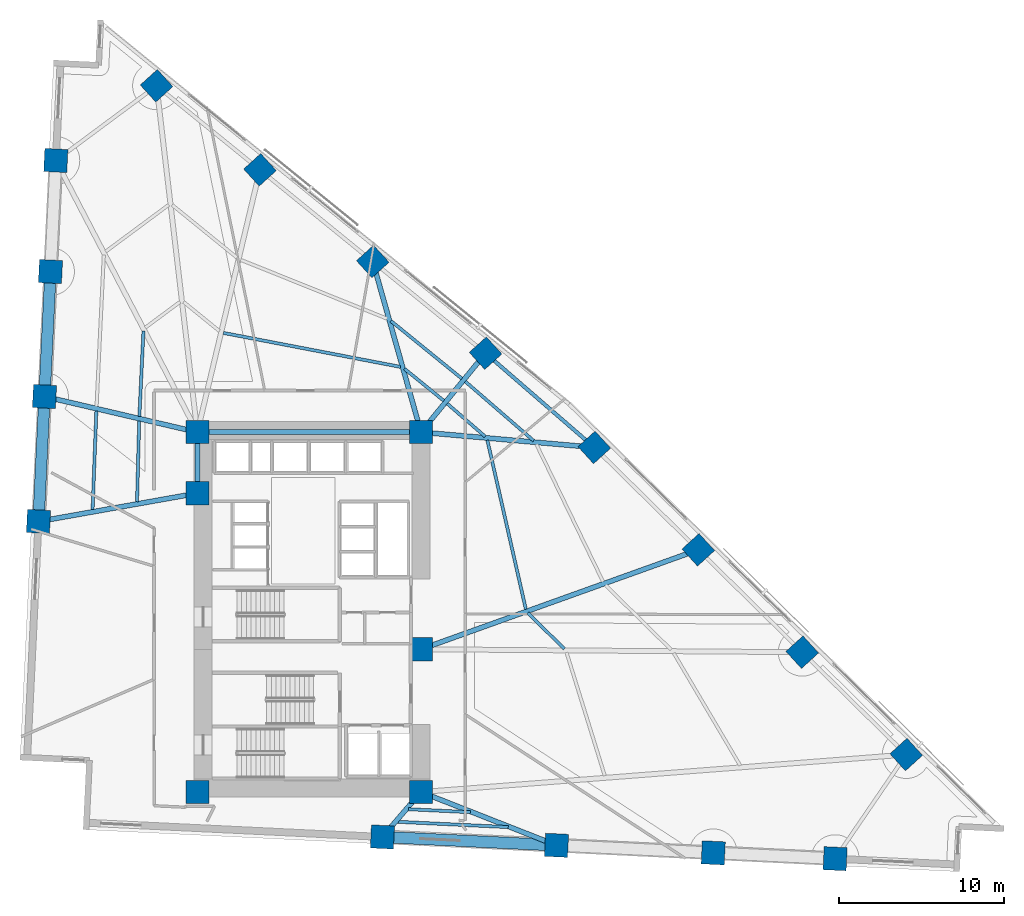
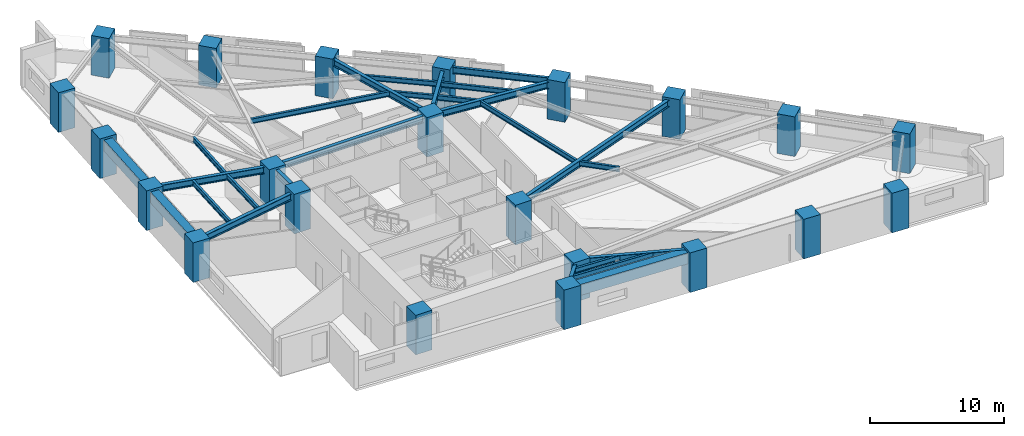
# One storey, part 1 of 17: 26 beams, 22 columns.
"""IFC4 building model written with IfcOpenShell, lengths in metres."""

from ifc_helpers import new_model, si_unit, direction, frame, origin, origin_2d, place, context, subcontext, project, spatial, rectangle, i_section, extrude, material, material_profile, profile_set, type_object, element, save


model = new_model("IFC4")

# Units and contexts
model_context = context("Model", 3, precision=1e-05, world=origin(), true_north=direction((0.0, 1.0)))
body_context = subcontext(model_context, "Body", "Model", "MODEL_VIEW")
ifc_project = project(units=[si_unit("LENGTHUNIT", "METRE"), si_unit("AREAUNIT", "SQUARE_METRE"), si_unit("VOLUMEUNIT", "CUBIC_METRE"), si_unit("PLANEANGLEUNIT", "RADIAN"), si_unit("MASSUNIT", "GRAM", prefix="KILO")], contexts=[model_context])

# Site, building, storey
site_placement = place(None, origin())
site = spatial("IfcSite", under=ifc_project, at=site_placement, CompositionType="ELEMENT")
building_placement = place(site_placement, origin())
building = spatial("IfcBuilding", under=site, at=building_placement, Name="Narakoshi Arena Tower", CompositionType="ELEMENT")
storey_placement = place(building_placement, frame((0.0, 0.0, 41.10009765625)))
storey = spatial("IfcBuildingStorey", under=building, at=storey_placement, Name="L10", CompositionType="ELEMENT", Elevation=41.10009765625)

# Columns
ifc_material_1 = material(Name="Concrete C60/75", Category="concrete")
ifc_material_profile_1 = material_profile(ifc_material_1, rectangle(XDim=1.39990234375, YDim=1.39990234375, at=origin_2d()), Name="RC1400x1400")
ifc_profile_set_1 = profile_set([ifc_material_profile_1], Name="Concrete C60/75")
column_type = type_object("IfcColumnType", Name="COL-RC1400", PredefinedType="COLUMN", material=ifc_profile_set_1)
for number, where, z_axis, x_axis, name in (
    (1, (72.0, 34.699951171875, 0.0), (0.0, 0.0, 1.0), (1.0, 0.0, 0.0), "L10 Core Structural Column CC1"),
    (2, (85.550048828125, 34.699951171875, 0.0), (0.0, 0.0, 1.0), (1.0, 0.0, 0.0), "L10 Core Structural Column CC2"),
    (3, (85.550048828125, 43.35009765625, 0.0), (0.0, 0.0, 1.0), (1.0, 0.0, 0.0), "L10 Core Structural Column CC3"),
    (4, (72.0, 52.800048828125, 0.0), (0.0, 0.0, 1.0), (1.0, 0.0, 0.0), "L10 Core Structural Column CC4"),
    (5, (72.0, 56.5, 0.0), (0.0, 0.0, 1.0), (1.0, 0.0, 0.0), "L10 Core Structural Column CC5"),
    (6, (85.550048828125, 56.5, 0.0), (0.0, 0.0, 1.0), (1.0, 0.0, 0.0), "L10 Core Structural Column CC6"),
    (7, (83.2119140625, 31.979248046875, 0.0), (0.0, 0.0, 1.0), (-0.998848386485, 0.047978128521, 0.0), "L10 Tower Perimeter Column TC01"),
    (8, (93.760009765625, 31.472412109375, 0.0), (0.0, 0.0, 1.0), (-0.998848386485, 0.047978128521, 0.0), "L10 Tower Perimeter Column TC02"),
    (9, (103.2529296875, 31.0166015625, 0.0), (0.0, 0.0, 1.0), (-0.998848386485, 0.047978128521, 0.0), "L10 Tower Perimeter Column TC03"),
    (10, (110.636474609375, 30.661865234375, 0.0), (0.0, 0.0, 1.0), (-0.998848386485, 0.047978128521, 0.0), "L10 Tower Perimeter Column TC04"),
    (11, (114.942138671875, 36.969970703125, 0.0), (0.0, 0.0, 1.0), (0.740218127487, 0.672366807435, 0.0), "L10 Tower Perimeter Column TC05"),
    (12, (108.643798828125, 43.171875, 0.0), (0.0, 0.0, 1.0), (0.740218127487, 0.672366807435, 0.0), "L10 Tower Perimeter Column TC06"),
    (13, (102.345458984375, 49.373779296875, 0.0), (0.0, 0.0, 1.0), (0.740218127487, 0.672366807435, 0.0), "L10 Tower Perimeter Column TC07"),
    (14, (96.047119140625, 55.57568359375, 0.0), (0.0, 0.0, 1.0), (0.740218127487, 0.672366807435, 0.0), "L10 Tower Perimeter Column TC08"),
    (15, (89.459716796875, 61.28515625, 0.0), (0.0, 0.0, 1.0), (0.740218127487, 0.672366807435, 0.0), "L10 Tower Perimeter Column TC09"),
    (16, (82.626953125, 66.838623046875, 0.0), (0.0, 0.0, 1.0), (0.740218127487, 0.672366807435, 0.0), "L10 Tower Perimeter Column TC10"),
    (17, (75.794189453125, 72.392333984375, 0.0), (0.0, 0.0, 1.0), (0.740218127487, 0.672366807435, 0.0), "L10 Tower Perimeter Column TC11"),
    (18, (69.531005859375, 77.483154296875, 0.0), (0.0, 0.0, 1.0), (0.740218127487, 0.672366807435, 0.0), "L10 Tower Perimeter Column TC12"),
    (19, (63.42822265625, 72.95654296875, 0.0), (0.0, 0.0, 1.0), (0.047978128521, 0.998848386485, 0.0), "L10 Tower Perimeter Column TC13"),
    (20, (63.10498046875, 66.228271484375, 0.0), (0.0, 0.0, 1.0), (0.047978128521, 0.998848386485, 0.0), "L10 Tower Perimeter Column TC14"),
    (21, (62.74169921875, 58.658935546875, 0.0), (0.0, 0.0, 1.0), (0.047978128521, 0.998848386485, 0.0), "L10 Tower Perimeter Column TC15"),
    (22, (62.3779296875, 51.08984375, 0.0), (0.0, 0.0, 1.0), (0.047978128521, 0.998848386485, 0.0), "L10 Tower Perimeter Column TC16"),
):
    element("IfcColumn", number, at=place(storey_placement, frame(where, z_axis=z_axis, x_axis=x_axis)), inside=storey, type_object=column_type, Name=name, PredefinedType="COLUMN", context=body_context, shape_type="SweptSolid", body=[
        extrude(rectangle(XDim=1.39990234375, YDim=1.39990234375, at=origin_2d()), origin(), (0.0, 0.0, 1.0), 3.599853515625),
    ])

# Beams
ifc_material_profile_2 = material_profile(ifc_material_1, rectangle(XDim=0.699951171875, YDim=1.0, at=origin_2d()), Name="RCB700x1000")
ifc_profile_set_2 = profile_set([ifc_material_profile_2], Name="Concrete C60/75")
beam_type_1 = type_object("IfcBeamType", Name="BM-CPL-1000", PredefinedType="BEAM", material=ifc_profile_set_2)
beam_1_placement = place(storey_placement, frame((83.2119140625, 31.979248046875, 2.89990234375), z_axis=(0.998847594152, -0.047994621119, 0.0), x_axis=(0.047994621119, 0.998847594152, 0.0)))
element("IfcBeam", 23, at=beam_1_placement, inside=storey, type_object=beam_type_1, Name="L10 Perimeter Edge Girder 01", PredefinedType="BEAM", context=body_context, shape_type="SweptSolid", body=[
    extrude(rectangle(XDim=0.699951171875, YDim=1.0, at=origin_2d()), origin(), (0.0, 0.0, 1.0), 10.560302734375),
])
beam_2_placement = place(storey_placement, frame((63.10498046875, 66.228271484375, 2.89990234375), z_axis=(-0.047938627957, -0.99885028305, 0.0), x_axis=(0.99885028305, -0.047938627957, 0.0)))
element("IfcBeam", 24, at=beam_2_placement, inside=storey, type_object=beam_type_1, Name="L10 Perimeter Edge Girder 14", PredefinedType="BEAM", context=body_context, shape_type="SweptSolid", body=[
    extrude(rectangle(XDim=0.699951171875, YDim=1.0, at=origin_2d()), origin(), (0.0, 0.0, 1.0), 7.578125),
])
beam_3_placement = place(storey_placement, frame((62.74169921875, 58.658935546875, 2.89990234375), z_axis=(-0.048004457986, -0.998847121442, 0.0), x_axis=(0.998847121442, -0.048004457986, 0.0)))
element("IfcBeam", 25, at=beam_3_placement, inside=storey, type_object=beam_type_1, Name="L10 Perimeter Edge Girder 15", PredefinedType="BEAM", context=body_context, shape_type="SweptSolid", body=[
    extrude(rectangle(XDim=0.699951171875, YDim=1.0, at=origin_2d()), origin(), (0.0, 0.0, 1.0), 7.577880859375),
])
ifc_material_2 = material(Name="Structural steel S355J2", Category="steel")
ifc_material_profile_3 = material_profile(ifc_material_2, i_section(OverallWidth=0.219970703125, OverallDepth=0.60009765625, WebThickness=0.011962890625, FlangeThickness=0.01904296875, FilletRadius=0.02392578125, at=origin_2d()), Name="IPE600")
ifc_profile_set_3 = profile_set([ifc_material_profile_3], Name="Structural steel S355J2")
beam_type_2 = type_object("IfcBeamType", Name="BM-EDGE-600", PredefinedType="BEAM", material=ifc_profile_set_3)
beam_4_placement = place(storey_placement, frame((96.047119140625, 55.57568359375, 3.099853515625), z_axis=(-0.755666904752, 0.654956127586, 0.0), x_axis=(-0.654956127586, -0.755666904752, 0.0)))
element("IfcBeam", 26, at=beam_4_placement, inside=storey, type_object=beam_type_2, Name="L10 Perimeter Edge Girder 08", PredefinedType="BEAM", context=body_context, shape_type="SweptSolid", body=[
    extrude(i_section(OverallWidth=0.219970703125, OverallDepth=0.60009765625, WebThickness=0.011962890625, FlangeThickness=0.01904296875, FilletRadius=0.02392578125, at=origin_2d()), origin(), (0.0, 0.0, 1.0), 8.71728515625),
])
ifc_material_profile_4 = material_profile(ifc_material_2, i_section(OverallWidth=0.300048828125, OverallDepth=0.60009765625, WebThickness=0.015380859375, FlangeThickness=0.030029296875, FilletRadius=0.027099609375, at=origin_2d()), Name="HE600B")
ifc_profile_set_4 = profile_set([ifc_material_profile_4], Name="Structural steel S355J2")
beam_type_3 = type_object("IfcBeamType", Name="BM-PRI-600", PredefinedType="BEAM", material=ifc_profile_set_4)
beam_5_placement = place(storey_placement, frame((85.550048828125, 34.699951171875, 3.099853515625), z_axis=(-0.651771636497, -0.75841527797, 0.0), x_axis=(0.75841527797, -0.651771636497, 0.0)))
element("IfcBeam", 27, at=beam_5_placement, inside=storey, type_object=beam_type_3, Name="L10 Radial Primary Floor Girder 01", PredefinedType="BEAM", context=body_context, shape_type="SweptSolid", body=[
    extrude(i_section(OverallWidth=0.300048828125, OverallDepth=0.60009765625, WebThickness=0.015380859375, FlangeThickness=0.030029296875, FilletRadius=0.027099609375, at=origin_2d()), origin(), (0.0, 0.0, 1.0), 3.58740234375),
])
beam_6_placement = place(storey_placement, frame((85.550048828125, 34.699951171875, 3.099853515625), z_axis=(0.930666699288, -0.365868138592, 0.0), x_axis=(0.365868138592, 0.930666699288, 0.0)))
element("IfcBeam", 28, at=beam_6_placement, inside=storey, type_object=beam_type_3, Name="L10 Radial Primary Floor Girder 02", PredefinedType="BEAM", context=body_context, shape_type="SweptSolid", body=[
    extrude(i_section(OverallWidth=0.300048828125, OverallDepth=0.60009765625, WebThickness=0.015380859375, FlangeThickness=0.030029296875, FilletRadius=0.027099609375, at=origin_2d()), origin(), (0.0, 0.0, 1.0), 8.821533203125),
])
beam_7_placement = place(storey_placement, frame((85.550048828125, 43.35009765625, 3.099853515625), z_axis=(0.941291582753, 0.337594662634, 0.0), x_axis=(-0.337594662634, 0.941291582753, 0.0)))
element("IfcBeam", 29, at=beam_7_placement, inside=storey, type_object=beam_type_3, Name="L10 Radial Primary Floor Girder 07", PredefinedType="BEAM", context=body_context, shape_type="SweptSolid", body=[
    extrude(i_section(OverallWidth=0.300048828125, OverallDepth=0.60009765625, WebThickness=0.015380859375, FlangeThickness=0.030029296875, FilletRadius=0.027099609375, at=origin_2d()), origin(), (0.0, 0.0, 1.0), 17.843017578125),
])
beam_8_placement = place(storey_placement, frame((85.550048828125, 56.5, 3.099853515625), z_axis=(0.996145584519, -0.087715303354, 0.0), x_axis=(0.087715303354, 0.996145584519, 0.0)))
element("IfcBeam", 30, at=beam_8_placement, inside=storey, type_object=beam_type_3, Name="L10 Radial Primary Floor Girder 08", PredefinedType="BEAM", context=body_context, shape_type="SweptSolid", body=[
    extrude(i_section(OverallWidth=0.300048828125, OverallDepth=0.60009765625, WebThickness=0.015380859375, FlangeThickness=0.030029296875, FilletRadius=0.027099609375, at=origin_2d()), origin(), (0.0, 0.0, 1.0), 10.53759765625),
])
beam_9_placement = place(storey_placement, frame((85.550048828125, 56.5, 3.099853515625), z_axis=(0.632708368655, 0.774390160212, 0.0), x_axis=(-0.774390160212, 0.632708368655, 0.0)))
element("IfcBeam", 31, at=beam_9_placement, inside=storey, type_object=beam_type_3, Name="L10 Radial Primary Floor Girder 09", PredefinedType="BEAM", context=body_context, shape_type="SweptSolid", body=[
    extrude(i_section(OverallWidth=0.300048828125, OverallDepth=0.60009765625, WebThickness=0.015380859375, FlangeThickness=0.030029296875, FilletRadius=0.027099609375, at=origin_2d()), origin(), (0.0, 0.0, 1.0), 6.17919921875),
])
beam_10_placement = place(storey_placement, frame((85.550048828125, 56.5, 3.099853515625), z_axis=(-0.272069994974, 0.962277464058, 0.0), x_axis=(-0.962277464058, -0.272069994974, 0.0)))
element("IfcBeam", 32, at=beam_10_placement, inside=storey, type_object=beam_type_3, Name="L10 Radial Primary Floor Girder 10", PredefinedType="BEAM", context=body_context, shape_type="SweptSolid", body=[
    extrude(i_section(OverallWidth=0.300048828125, OverallDepth=0.60009765625, WebThickness=0.015380859375, FlangeThickness=0.030029296875, FilletRadius=0.027099609375, at=origin_2d()), origin(), (0.0, 0.0, 1.0), 10.743896484375),
])
beam_11_placement = place(storey_placement, frame((72.0, 56.5, 3.099853515625), z_axis=(-0.973872266719, 0.227096473145, 0.0), x_axis=(-0.227096473145, -0.973872266719, 0.0)))
element("IfcBeam", 33, at=beam_11_placement, inside=storey, type_object=beam_type_3, Name="L10 Radial Primary Floor Girder 15", PredefinedType="BEAM", context=body_context, shape_type="SweptSolid", body=[
    extrude(i_section(OverallWidth=0.300048828125, OverallDepth=0.60009765625, WebThickness=0.015380859375, FlangeThickness=0.030029296875, FilletRadius=0.027099609375, at=origin_2d()), origin(), (0.0, 0.0, 1.0), 9.506591796875),
])
beam_12_placement = place(storey_placement, frame((72.0, 52.800048828125, 3.099853515625), z_axis=(-0.984569299514, -0.174995126944, 0.0), x_axis=(0.174995126944, -0.984569299514, 0.0)))
element("IfcBeam", 34, at=beam_12_placement, inside=storey, type_object=beam_type_3, Name="L10 Radial Primary Floor Girder 16", PredefinedType="BEAM", context=body_context, shape_type="SweptSolid", body=[
    extrude(i_section(OverallWidth=0.300048828125, OverallDepth=0.60009765625, WebThickness=0.015380859375, FlangeThickness=0.030029296875, FilletRadius=0.027099609375, at=origin_2d()), origin(), (0.0, 0.0, 1.0), 9.77294921875),
])
beam_13_placement = place(storey_placement, frame((72.0, 52.800048828125, 3.099853515625), z_axis=(0.0, 1.0, 0.0), x_axis=(-1.0, 0.0, 0.0)))
element("IfcBeam", 35, at=beam_13_placement, inside=storey, type_object=beam_type_3, Name="L10 Core Perimeter Frame Beam CC4-CC5", PredefinedType="BEAM", context=body_context, shape_type="SweptSolid", body=[
    extrude(i_section(OverallWidth=0.300048828125, OverallDepth=0.60009765625, WebThickness=0.015380859375, FlangeThickness=0.030029296875, FilletRadius=0.027099609375, at=origin_2d()), origin(), (0.0, 0.0, 1.0), 3.699951171875),
])
beam_14_placement = place(storey_placement, frame((72.0, 56.5, 3.099853515625), z_axis=(1.0, 0.0, 0.0), x_axis=(0.0, 1.0, 0.0)))
element("IfcBeam", 36, at=beam_14_placement, inside=storey, type_object=beam_type_3, Name="L10 Core Perimeter Frame Beam CC5-CC6", PredefinedType="BEAM", context=body_context, shape_type="SweptSolid", body=[
    extrude(i_section(OverallWidth=0.300048828125, OverallDepth=0.60009765625, WebThickness=0.015380859375, FlangeThickness=0.030029296875, FilletRadius=0.027099609375, at=origin_2d()), origin(), (0.0, 0.0, 1.0), 13.550048828125),
])
ifc_material_profile_5 = material_profile(ifc_material_2, i_section(OverallWidth=0.18994140625, OverallDepth=0.449951171875, WebThickness=0.009521484375, FlangeThickness=0.0146484375, FilletRadius=0.02099609375, at=origin_2d()), Name="IPE450")
ifc_profile_set_5 = profile_set([ifc_material_profile_5], Name="Structural steel S355J2")
beam_type_4 = type_object("IfcBeamType", Name="BM-SEC-450", PredefinedType="JOIST", material=ifc_profile_set_5)
beam_15_placement = place(storey_placement, frame((84.79638671875, 33.65966796875, 3.1748046875), z_axis=(0.998846936013, -0.04800831613, 0.0), x_axis=(0.04800831613, 0.998846936013, 0.0)))
element("IfcBeam", 37, at=beam_15_placement, inside=storey, type_object=beam_type_4, Name="L10 Composite Secondary Floor Joist 01", PredefinedType="JOIST", context=body_context, shape_type="SweptSolid", body=[
    extrude(i_section(OverallWidth=0.18994140625, OverallDepth=0.449951171875, WebThickness=0.009521484375, FlangeThickness=0.0146484375, FilletRadius=0.02099609375, at=origin_2d()), origin(), (0.0, 0.0, 1.0), 3.742919921875),
])
beam_16_placement = place(storey_placement, frame((84.141845703125, 32.897705078125, 3.1748046875), z_axis=(0.998849428326, -0.047956433699, 0.0), x_axis=(0.047956433699, 0.998849428326, 0.0)))
element("IfcBeam", 38, at=beam_16_placement, inside=storey, type_object=beam_type_4, Name="L10 Composite Secondary Floor Joist 02", PredefinedType="JOIST", context=body_context, shape_type="SweptSolid", body=[
    extrude(i_section(OverallWidth=0.18994140625, OverallDepth=0.449951171875, WebThickness=0.009521484375, FlangeThickness=0.0146484375, FilletRadius=0.02099609375, at=origin_2d()), origin(), (0.0, 0.0, 1.0), 6.69970703125),
])
beam_17_placement = place(storey_placement, frame((94.2294921875, 43.376953125, 3.1748046875), z_axis=(-0.712578369214, 0.701592522572, 0.0), x_axis=(-0.701592522572, -0.712578369214, 0.0)))
element("IfcBeam", 39, at=beam_17_placement, inside=storey, type_object=beam_type_4, Name="L10 Composite Secondary Floor Joist 05", PredefinedType="JOIST", context=body_context, shape_type="SweptSolid", body=[
    extrude(i_section(OverallWidth=0.18994140625, OverallDepth=0.449951171875, WebThickness=0.009521484375, FlangeThickness=0.0146484375, FilletRadius=0.02099609375, at=origin_2d()), origin(), (0.0, 0.0, 1.0), 3.089111328125),
])
beam_18_placement = place(storey_placement, frame((91.90234375, 45.770751953125, 3.1748046875), z_axis=(-0.222053868042, 0.975034399233, 0.0), x_axis=(-0.975034399233, -0.222053868042, 0.0)))
element("IfcBeam", 40, at=beam_18_placement, inside=storey, type_object=beam_type_4, Name="L10 Composite Secondary Floor Joist 07", PredefinedType="JOIST", context=body_context, shape_type="SweptSolid", body=[
    extrude(i_section(OverallWidth=0.18994140625, OverallDepth=0.449951171875, WebThickness=0.009521484375, FlangeThickness=0.0146484375, FilletRadius=0.02099609375, at=origin_2d()), origin(), (0.0, 0.0, 1.0), 10.5087890625),
])
beam_19_placement = place(storey_placement, frame((89.436767578125, 56.2373046875, 3.1748046875), z_axis=(-0.755665253251, 0.654958033029, 0.0), x_axis=(-0.654958033029, -0.755665253251, 0.0)))
element("IfcBeam", 41, at=beam_19_placement, inside=storey, type_object=beam_type_4, Name="L10 Composite Secondary Floor Joist 09", PredefinedType="JOIST", context=body_context, shape_type="SweptSolid", body=[
    extrude(i_section(OverallWidth=0.18994140625, OverallDepth=0.449951171875, WebThickness=0.009521484375, FlangeThickness=0.0146484375, FilletRadius=0.02099609375, at=origin_2d()), origin(), (0.0, 0.0, 1.0), 3.04248046875),
])
beam_20_placement = place(storey_placement, frame((92.3759765625, 55.978515625, 3.1748046875), z_axis=(-0.755690551911, 0.654928843274, 0.0), x_axis=(-0.654928843274, -0.755690551911, 0.0)))
element("IfcBeam", 42, at=beam_20_placement, inside=storey, type_object=beam_type_4, Name="L10 Composite Secondary Floor Joist 10", PredefinedType="JOIST", context=body_context, shape_type="SweptSolid", body=[
    extrude(i_section(OverallWidth=0.18994140625, OverallDepth=0.449951171875, WebThickness=0.009521484375, FlangeThickness=0.0146484375, FilletRadius=0.02099609375, at=origin_2d()), origin(), (0.0, 0.0, 1.0), 5.483154296875),
])
beam_21_placement = place(storey_placement, frame((86.930908203125, 58.403564453125, 3.1748046875), z_axis=(-0.776029017358, 0.630697204861, 0.0), x_axis=(-0.630697204861, -0.776029017358, 0.0)))
element("IfcBeam", 43, at=beam_21_placement, inside=storey, type_object=beam_type_4, Name="L10 Composite Secondary Floor Joist 11", PredefinedType="JOIST", context=body_context, shape_type="SweptSolid", body=[
    extrude(i_section(OverallWidth=0.18994140625, OverallDepth=0.449951171875, WebThickness=0.009521484375, FlangeThickness=0.0146484375, FilletRadius=0.02099609375, at=origin_2d()), origin(), (0.0, 0.0, 1.0), 3.075927734375),
])
beam_22_placement = place(storey_placement, frame((88.025634765625, 59.743408203125, 3.1748046875), z_axis=(-0.77601830452, 0.630710386033, 0.0), x_axis=(-0.630710386033, -0.77601830452, 0.0)))
element("IfcBeam", 44, at=beam_22_placement, inside=storey, type_object=beam_type_4, Name="L10 Composite Secondary Floor Joist 12", PredefinedType="JOIST", context=body_context, shape_type="SweptSolid", body=[
    extrude(i_section(OverallWidth=0.18994140625, OverallDepth=0.449951171875, WebThickness=0.009521484375, FlangeThickness=0.0146484375, FilletRadius=0.02099609375, at=origin_2d()), origin(), (0.0, 0.0, 1.0), 5.541259765625),
])
beam_23_placement = place(storey_placement, frame((84.306640625, 60.4541015625, 3.1748046875), z_axis=(-0.98207951477, 0.188467043986, 0.0), x_axis=(-0.188467043986, -0.98207951477, 0.0)))
element("IfcBeam", 45, at=beam_23_placement, inside=storey, type_object=beam_type_4, Name="L10 Composite Secondary Floor Joist 13", PredefinedType="JOIST", context=body_context, shape_type="SweptSolid", body=[
    extrude(i_section(OverallWidth=0.18994140625, OverallDepth=0.449951171875, WebThickness=0.009521484375, FlangeThickness=0.0146484375, FilletRadius=0.02099609375, at=origin_2d()), origin(), (0.0, 0.0, 1.0), 10.927978515625),
])
beam_24_placement = place(storey_placement, frame((68.736328125, 62.61865234375, 3.1748046875), z_axis=(-0.047984757536, -0.998848068048, 0.0), x_axis=(0.998848068048, -0.047984757536, 0.0)))
element("IfcBeam", 46, at=beam_24_placement, inside=storey, type_object=beam_type_4, Name="L10 Composite Secondary Floor Joist 19", PredefinedType="JOIST", context=body_context, shape_type="SweptSolid", body=[
    extrude(i_section(OverallWidth=0.18994140625, OverallDepth=0.449951171875, WebThickness=0.009521484375, FlangeThickness=0.0146484375, FilletRadius=0.02099609375, at=origin_2d()), origin(), (0.0, 0.0, 1.0), 5.169189453125),
])
beam_25_placement = place(storey_placement, frame((68.478271484375, 57.185546875, 3.1748046875), z_axis=(-0.026744117258, -0.999642312126, 0.0), x_axis=(0.999642312126, -0.026744117258, 0.0)))
element("IfcBeam", 47, at=beam_25_placement, inside=storey, type_object=beam_type_4, Name="L10 Composite Secondary Floor Joist 21", PredefinedType="JOIST", context=body_context, shape_type="SweptSolid", body=[
    extrude(i_section(OverallWidth=0.18994140625, OverallDepth=0.449951171875, WebThickness=0.009521484375, FlangeThickness=0.0146484375, FilletRadius=0.02099609375, at=origin_2d()), origin(), (0.0, 0.0, 1.0), 4.902099609375),
])
beam_26_placement = place(storey_placement, frame((65.88427734375, 57.7900390625, 3.1748046875), z_axis=(-0.038323519423, -0.999265384099, 0.0), x_axis=(0.999265384099, -0.038323519423, 0.0)))
element("IfcBeam", 48, at=beam_26_placement, inside=storey, type_object=beam_type_4, Name="L10 Composite Secondary Floor Joist 22", PredefinedType="JOIST", context=body_context, shape_type="SweptSolid", body=[
    extrude(i_section(OverallWidth=0.18994140625, OverallDepth=0.449951171875, WebThickness=0.009521484375, FlangeThickness=0.0146484375, FilletRadius=0.02099609375, at=origin_2d()), origin(), (0.0, 0.0, 1.0), 5.98828125),
])

save(model, "model.ifc")
